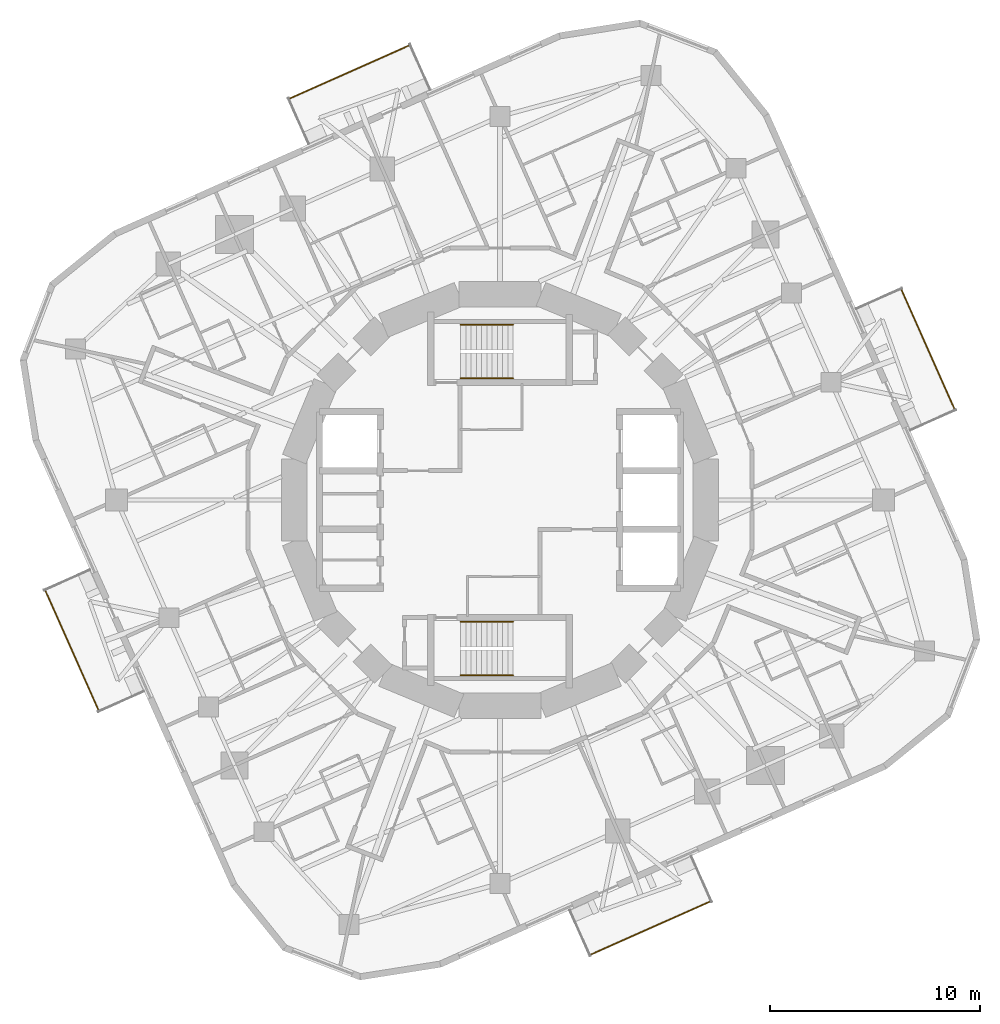
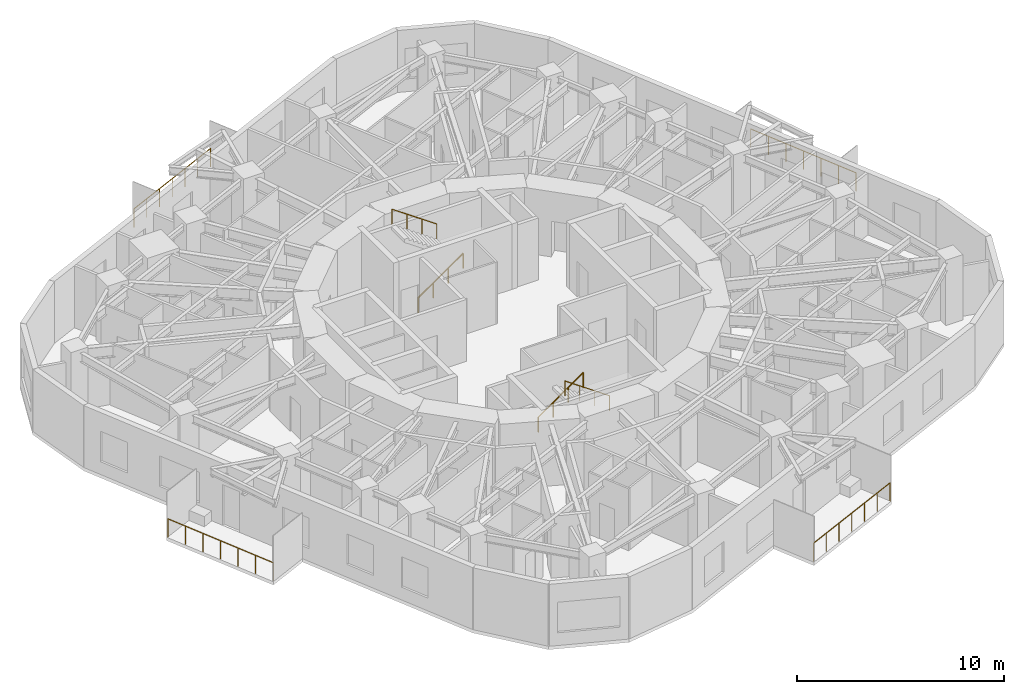
# One storey, part 11 of 12: 8 railings.
"""IFC4 building model written with IfcOpenShell, lengths in metres."""

from ifc_helpers import new_model, si_unit, direction, frame, origin, origin_2d, place, context, subcontext, project, spatial, circle, extrude, material, type_object, element, save


model = new_model("IFC4")

# Units and contexts
model_context = context("Model", 3, precision=1e-05, world=origin(), true_north=direction((0.0, 1.0)))
body_context = subcontext(model_context, "Body", "Model", "MODEL_VIEW")
ifc_project = project(units=[si_unit("LENGTHUNIT", "METRE"), si_unit("AREAUNIT", "SQUARE_METRE"), si_unit("VOLUMEUNIT", "CUBIC_METRE"), si_unit("PLANEANGLEUNIT", "RADIAN"), si_unit("MASSUNIT", "GRAM", prefix="KILO")], contexts=[model_context])

# Site, building, storey
site_placement = place(None, origin())
site = spatial("IfcSite", under=ifc_project, at=site_placement, CompositionType="ELEMENT")
building_placement = place(site_placement, origin())
building = spatial("IfcBuilding", under=site, at=building_placement, Name="Nakasero Lantern House", CompositionType="ELEMENT")
storey_placement = place(building_placement, frame((0.0, 0.0, 186.300048828125)))
storey = spatial("IfcBuildingStorey", under=building, at=storey_placement, Name="L45", CompositionType="ELEMENT", Elevation=186.300048828125)

# Railings
ifc_material_1 = material(Name="Aluminium 6063-T6", Category="aluminium")
railing_type_1 = type_object("IfcRailingType", Name="Balcony guard 1100", PredefinedType="BALUSTRADE", material=ifc_material_1)
railing_1_placement = place(storey_placement, frame((21.67529296875, 4.29931640625, 0.0)))
element("IfcRailing", 1, at=railing_1_placement, inside=storey, type_object=railing_type_1, Name="Balcony guard L45 BAL0", PredefinedType="BALUSTRADE", context=body_context, shape_type="SweptSolid", body=[
    extrude(circle(Radius=0.02392578125, at=origin_2d()), frame((0.0, 0.0, 1.076171875), z_axis=(-0.40676486805, 0.913532890552, 0.0), x_axis=(-0.913532890552, -0.40676486805, 0.0)), (0.0, 0.0, 1.0), 6.291259765625),
    extrude(circle(Radius=0.02099609375, at=origin_2d()), origin(), (0.0, 0.0, 1.0), 1.052001953125),
    extrude(circle(Radius=0.02099609375, at=origin_2d()), frame((-0.426513671875, 0.9580078125, 0.0)), (0.0, 0.0, 1.0), 1.052001953125),
    extrude(circle(Radius=0.02099609375, at=origin_2d()), frame((-0.85302734375, 1.915771484375, 0.0)), (0.0, 0.0, 1.0), 1.052001953125),
    extrude(circle(Radius=0.02099609375, at=origin_2d()), frame((-1.279541015625, 2.87353515625, 0.0)), (0.0, 0.0, 1.0), 1.052001953125),
    extrude(circle(Radius=0.02099609375, at=origin_2d()), frame((-1.7060546875, 3.83154296875, 0.0)), (0.0, 0.0, 1.0), 1.052001953125),
    extrude(circle(Radius=0.02099609375, at=origin_2d()), frame((-2.132568359375, 4.78955078125, 0.0)), (0.0, 0.0, 1.0), 1.052001953125),
    extrude(circle(Radius=0.02099609375, at=origin_2d()), frame((-2.55908203125, 5.747314453125, 0.0)), (0.0, 0.0, 1.0), 1.052001953125),
])
railing_2_placement = place(storey_placement, frame((-4.29931640625, 21.67529296875, 0.0)))
element("IfcRailing", 2, at=railing_2_placement, inside=storey, type_object=railing_type_1, Name="Balcony guard L45 BAL1", PredefinedType="BALUSTRADE", context=body_context, shape_type="SweptSolid", body=[
    extrude(circle(Radius=0.02392578125, at=origin_2d()), frame((0.0, 0.0, 1.076171875), z_axis=(-0.913532890552, -0.40676486805, 0.0), x_axis=(0.40676486805, -0.913532890552, 0.0)), (0.0, 0.0, 1.0), 6.291259765625),
    extrude(circle(Radius=0.02099609375, at=origin_2d()), origin(), (0.0, 0.0, 1.0), 1.052001953125),
    extrude(circle(Radius=0.02099609375, at=origin_2d()), frame((-0.9580078125, -0.426513671875, 0.0)), (0.0, 0.0, 1.0), 1.052001953125),
    extrude(circle(Radius=0.02099609375, at=origin_2d()), frame((-1.915771484375, -0.85302734375, 0.0)), (0.0, 0.0, 1.0), 1.052001953125),
    extrude(circle(Radius=0.02099609375, at=origin_2d()), frame((-2.87353515625, -1.279541015625, 0.0)), (0.0, 0.0, 1.0), 1.052001953125),
    extrude(circle(Radius=0.02099609375, at=origin_2d()), frame((-3.83154296875, -1.7060546875, 0.0)), (0.0, 0.0, 1.0), 1.052001953125),
    extrude(circle(Radius=0.02099609375, at=origin_2d()), frame((-4.78955078125, -2.132568359375, 0.0)), (0.0, 0.0, 1.0), 1.052001953125),
    extrude(circle(Radius=0.02099609375, at=origin_2d()), frame((-5.747314453125, -2.55908203125, 0.0)), (0.0, 0.0, 1.0), 1.052001953125),
])
railing_3_placement = place(storey_placement, frame((-21.67529296875, -4.29931640625, 0.0)))
element("IfcRailing", 3, at=railing_3_placement, inside=storey, type_object=railing_type_1, Name="Balcony guard L45 BAL2", PredefinedType="BALUSTRADE", context=body_context, shape_type="SweptSolid", body=[
    extrude(circle(Radius=0.02392578125, at=origin_2d()), frame((0.0, 0.0, 1.076171875), z_axis=(0.40676486805, -0.913532890552, 0.0), x_axis=(0.913532890552, 0.40676486805, 0.0)), (0.0, 0.0, 1.0), 6.291259765625),
    extrude(circle(Radius=0.02099609375, at=origin_2d()), origin(), (0.0, 0.0, 1.0), 1.052001953125),
    extrude(circle(Radius=0.02099609375, at=origin_2d()), frame((0.426513671875, -0.9580078125, 0.0)), (0.0, 0.0, 1.0), 1.052001953125),
    extrude(circle(Radius=0.02099609375, at=origin_2d()), frame((0.85302734375, -1.915771484375, 0.0)), (0.0, 0.0, 1.0), 1.052001953125),
    extrude(circle(Radius=0.02099609375, at=origin_2d()), frame((1.279541015625, -2.87353515625, 0.0)), (0.0, 0.0, 1.0), 1.052001953125),
    extrude(circle(Radius=0.02099609375, at=origin_2d()), frame((1.7060546875, -3.83154296875, 0.0)), (0.0, 0.0, 1.0), 1.052001953125),
    extrude(circle(Radius=0.02099609375, at=origin_2d()), frame((2.132568359375, -4.78955078125, 0.0)), (0.0, 0.0, 1.0), 1.052001953125),
    extrude(circle(Radius=0.02099609375, at=origin_2d()), frame((2.55908203125, -5.747314453125, 0.0)), (0.0, 0.0, 1.0), 1.052001953125),
])
railing_4_placement = place(storey_placement, frame((4.29931640625, -21.67529296875, 0.0)))
element("IfcRailing", 4, at=railing_4_placement, inside=storey, type_object=railing_type_1, Name="Balcony guard L45 BAL3", PredefinedType="BALUSTRADE", context=body_context, shape_type="SweptSolid", body=[
    extrude(circle(Radius=0.02392578125, at=origin_2d()), frame((0.0, 0.0, 1.076171875), z_axis=(0.913532890552, 0.40676486805, 0.0), x_axis=(-0.40676486805, 0.913532890552, 0.0)), (0.0, 0.0, 1.0), 6.291259765625),
    extrude(circle(Radius=0.02099609375, at=origin_2d()), origin(), (0.0, 0.0, 1.0), 1.052001953125),
    extrude(circle(Radius=0.02099609375, at=origin_2d()), frame((0.9580078125, 0.426513671875, 0.0)), (0.0, 0.0, 1.0), 1.052001953125),
    extrude(circle(Radius=0.02099609375, at=origin_2d()), frame((1.915771484375, 0.85302734375, 0.0)), (0.0, 0.0, 1.0), 1.052001953125),
    extrude(circle(Radius=0.02099609375, at=origin_2d()), frame((2.87353515625, 1.279541015625, 0.0)), (0.0, 0.0, 1.0), 1.052001953125),
    extrude(circle(Radius=0.02099609375, at=origin_2d()), frame((3.83154296875, 1.7060546875, 0.0)), (0.0, 0.0, 1.0), 1.052001953125),
    extrude(circle(Radius=0.02099609375, at=origin_2d()), frame((4.78955078125, 2.132568359375, 0.0)), (0.0, 0.0, 1.0), 1.052001953125),
    extrude(circle(Radius=0.02099609375, at=origin_2d()), frame((5.747314453125, 2.55908203125, 0.0)), (0.0, 0.0, 1.0), 1.052001953125),
])
ifc_material_2 = material(Name="Stainless steel 316", Category="steel")
railing_type_2 = type_object("IfcRailingType", Name="Stair handrail 900", PredefinedType="HANDRAIL", material=ifc_material_2)
railing_5_placement = place(storey_placement, frame((-1.875, 5.800048828125, 0.175048828125)))
element("IfcRailing", 5, at=railing_5_placement, inside=storey, type_object=railing_type_2, Name="Handrail ST1 L45 flight 1", PredefinedType="HANDRAIL", context=body_context, shape_type="SweptSolid", body=[
    extrude(circle(Radius=0.02392578125, at=origin_2d()), frame((0.0, 0.0, 0.8759765625), z_axis=(0.819231920519, 0.0, 0.573462344363), x_axis=(0.0, 1.0, 0.0)), (0.0, 0.0, 1.0), 3.0517578125),
    extrude(circle(Radius=0.02099609375, at=origin_2d()), origin(), (0.0, 0.0, 1.0), 0.851806640625),
    extrude(circle(Radius=0.02099609375, at=origin_2d()), frame((0.833251953125, 0.0, 0.583251953125)), (0.0, 0.0, 1.0), 0.851806640625),
    extrude(circle(Radius=0.02099609375, at=origin_2d()), frame((1.666748046875, 0.0, 1.166748046875)), (0.0, 0.0, 1.0), 0.851806640625),
    extrude(circle(Radius=0.02099609375, at=origin_2d()), frame((2.5, 0.0, 1.75)), (0.0, 0.0, 1.0), 0.851806640625),
])
railing_6_placement = place(storey_placement, frame((0.625, 8.35009765625, 2.099853515625)))
element("IfcRailing", 6, at=railing_6_placement, inside=storey, type_object=railing_type_2, Name="Handrail ST1 L45 flight 2", PredefinedType="HANDRAIL", context=body_context, shape_type="SweptSolid", body=[
    extrude(circle(Radius=0.02392578125, at=origin_2d()), frame((0.0, 0.0, 0.8759765625), z_axis=(-0.819231920519, 0.0, 0.573462344363), x_axis=(0.0, -1.0, 0.0)), (0.0, 0.0, 1.0), 3.0517578125),
    extrude(circle(Radius=0.02099609375, at=origin_2d()), origin(), (0.0, 0.0, 1.0), 0.851806640625),
    extrude(circle(Radius=0.02099609375, at=origin_2d()), frame((-0.833251953125, 0.0, 0.583251953125)), (0.0, 0.0, 1.0), 0.851806640625),
    extrude(circle(Radius=0.02099609375, at=origin_2d()), frame((-1.666748046875, 0.0, 1.166748046875)), (0.0, 0.0, 1.0), 0.851806640625),
    extrude(circle(Radius=0.02099609375, at=origin_2d()), frame((-2.5, 0.0, 1.75)), (0.0, 0.0, 1.0), 0.851806640625),
])
railing_7_placement = place(storey_placement, frame((-1.875, -5.800048828125, 0.175048828125)))
element("IfcRailing", 7, at=railing_7_placement, inside=storey, type_object=railing_type_2, Name="Handrail ST2 L45 flight 1", PredefinedType="HANDRAIL", context=body_context, shape_type="SweptSolid", body=[
    extrude(circle(Radius=0.02392578125, at=origin_2d()), frame((0.0, 0.0, 0.8759765625), z_axis=(0.819231920519, 0.0, 0.573462344363), x_axis=(0.0, 1.0, 0.0)), (0.0, 0.0, 1.0), 3.0517578125),
    extrude(circle(Radius=0.02099609375, at=origin_2d()), origin(), (0.0, 0.0, 1.0), 0.851806640625),
    extrude(circle(Radius=0.02099609375, at=origin_2d()), frame((0.833251953125, 0.0, 0.583251953125)), (0.0, 0.0, 1.0), 0.851806640625),
    extrude(circle(Radius=0.02099609375, at=origin_2d()), frame((1.666748046875, 0.0, 1.166748046875)), (0.0, 0.0, 1.0), 0.851806640625),
    extrude(circle(Radius=0.02099609375, at=origin_2d()), frame((2.5, 0.0, 1.75)), (0.0, 0.0, 1.0), 0.851806640625),
])
railing_8_placement = place(storey_placement, frame((0.625, -8.35009765625, 2.099853515625)))
element("IfcRailing", 8, at=railing_8_placement, inside=storey, type_object=railing_type_2, Name="Handrail ST2 L45 flight 2", PredefinedType="HANDRAIL", context=body_context, shape_type="SweptSolid", body=[
    extrude(circle(Radius=0.02392578125, at=origin_2d()), frame((0.0, 0.0, 0.8759765625), z_axis=(-0.819231920519, 0.0, 0.573462344363), x_axis=(0.0, -1.0, 0.0)), (0.0, 0.0, 1.0), 3.0517578125),
    extrude(circle(Radius=0.02099609375, at=origin_2d()), origin(), (0.0, 0.0, 1.0), 0.851806640625),
    extrude(circle(Radius=0.02099609375, at=origin_2d()), frame((-0.833251953125, 0.0, 0.583251953125)), (0.0, 0.0, 1.0), 0.851806640625),
    extrude(circle(Radius=0.02099609375, at=origin_2d()), frame((-1.666748046875, 0.0, 1.166748046875)), (0.0, 0.0, 1.0), 0.851806640625),
    extrude(circle(Radius=0.02099609375, at=origin_2d()), frame((-2.5, 0.0, 1.75)), (0.0, 0.0, 1.0), 0.851806640625),
])

save(model, "model.ifc")
